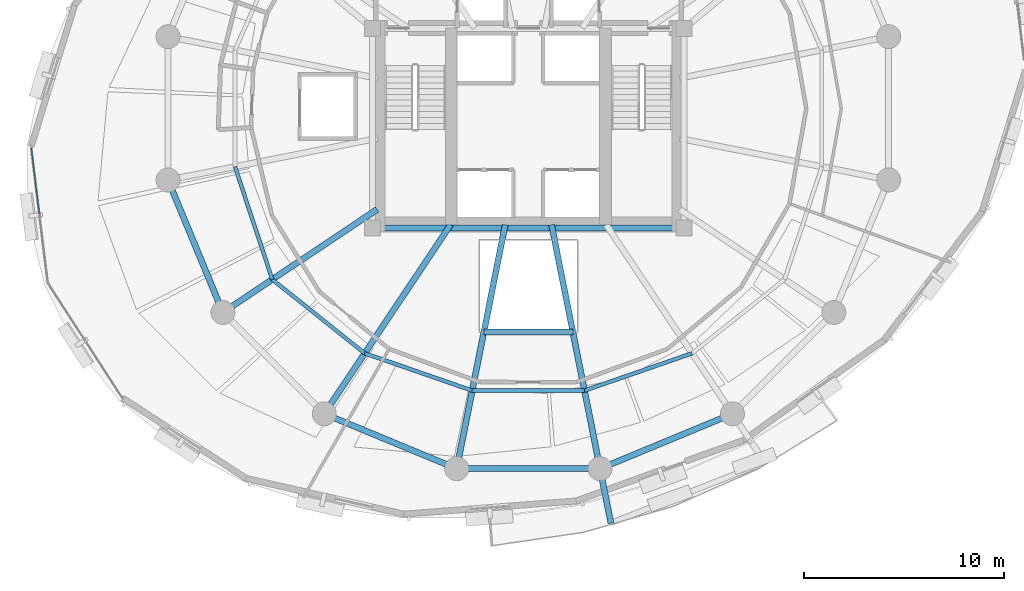
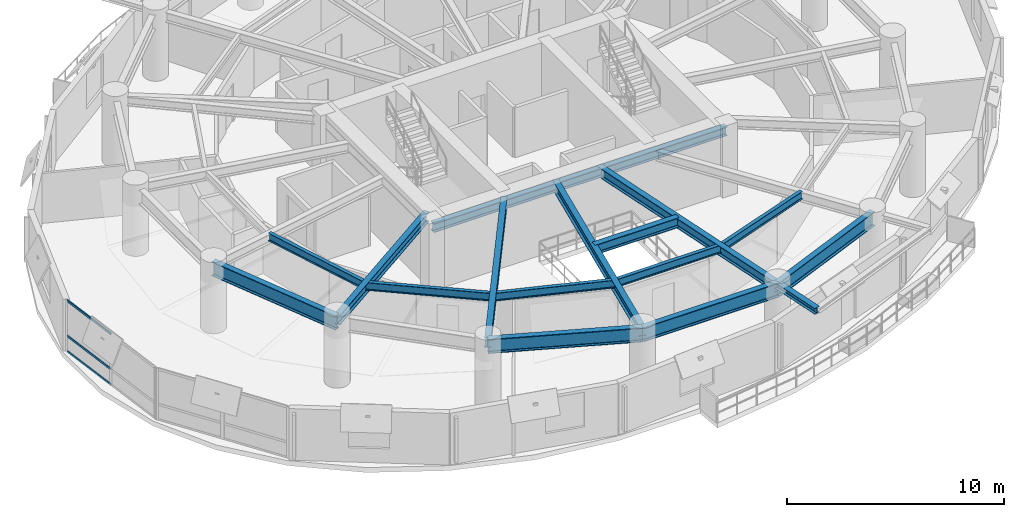
# One storey, part 3 of 15: 16 beams, 3 members, 1 element without a shape of its own.
"""IFC4 building model written with IfcOpenShell, lengths in metres."""

import ifcopenshell
import ifcopenshell.guid

model = None  # the IFC model being written
_history = None  # IfcOwnerHistory: only IFC2X3 demands one
_inside = {}  # id of a spatial element -> (the spatial element, [elements in it])
_under = {}  # id of a project, library or spatial element -> (it, [spatial elements below it])
_declared = {}  # id of a project -> (the project, [libraries it declares])
_typed = {}  # id of a type object -> (the type object, [elements of that type])
_made_of = {}  # id of a material, layer set ... -> (it, [elements and type objects made of it])


def new_model(schema):
    """Start an empty IFC model of exactly this schema.

    Asked for "IFC4X3", IfcOpenShell would pick the latest addendum, in which some entities
    have other attributes; the version numbers below select the first issue.
    IFC2X3 requires an IfcOwnerHistory on every rooted entity: one is made here for all.
    """
    global model, _history
    if schema == "IFC4X3":
        model = ifcopenshell.file(schema_version=(4, 3, 0, 0))
    else:
        model = ifcopenshell.file(schema=schema)
    _inside.clear()
    _under.clear()
    _declared.clear()
    _typed.clear()
    _made_of.clear()
    _history = None
    if model.schema == "IFC2X3":
        org = make("IfcOrganization", Name="unknown")
        user = make(
            "IfcPersonAndOrganization",
            ThePerson=make("IfcPerson", FamilyName="unknown"),
            TheOrganization=org,
        )
        app = make(
            "IfcApplication",
            ApplicationDeveloper=org,
            Version="unknown",
            ApplicationFullName="unknown",
            ApplicationIdentifier="unknown",
        )
        _history = make(
            "IfcOwnerHistory",
            OwningUser=user,
            OwningApplication=app,
            ChangeAction="ADDED",
            CreationDate=0,
        )
    return model


def make(cls, **values):
    """One entity of the class cls with the attributes given. An attribute that is None is left unset."""
    return model.create_entity(
        cls, **{name: value for name, value in values.items() if value is not None}
    )


def rooted(cls, **values):
    """An entity with a GlobalId (a new one), such as an element, a storey or a relation."""
    return make(cls, GlobalId=ifcopenshell.guid.new(), OwnerHistory=_history, **values)


def si_unit(unit_type, name, prefix=None):
    """IfcSIUnit, for example si_unit("LENGTHUNIT", "METRE", prefix="MILLI")."""
    return make("IfcSIUnit", UnitType=unit_type, Prefix=prefix, Name=name)


def assignment(units):
    """IfcUnitAssignment: the units of a project."""
    return None if units is None else make("IfcUnitAssignment", Units=units)


def point(xyz):
    """IfcCartesianPoint."""
    return None if xyz is None else make("IfcCartesianPoint", Coordinates=xyz)


def direction(xyz):
    """IfcDirection."""
    return None if xyz is None else make("IfcDirection", DirectionRatios=xyz)


def frame(location, z_axis=None, x_axis=None):
    """IfcAxis2Placement3D, a coordinate frame: its origin and axes. An axis left out is left unset."""
    return make(
        "IfcAxis2Placement3D",
        Location=point(location),
        Axis=direction(z_axis),
        RefDirection=direction(x_axis),
    )


def frame_2d(location, x_axis=None):
    """IfcAxis2Placement2D, a coordinate frame in the plane: its origin and x axis."""
    return make(
        "IfcAxis2Placement2D", Location=point(location), RefDirection=direction(x_axis)
    )


def origin():
    """The frame at (0, 0, 0) with its axes left unset."""
    return frame((0.0, 0.0, 0.0))


def origin_2d():
    """The frame at (0, 0) in the plane with its x axis left unset."""
    return frame_2d((0.0, 0.0))


def place(relative_to, where):
    """IfcLocalPlacement: puts the frame where relative to a parent placement (None: the world)."""
    return make(
        "IfcLocalPlacement", PlacementRelTo=relative_to, RelativePlacement=where
    )


def context(
    kind, dimensions, precision=None, world=None, true_north=None, identifier=None
):
    """IfcGeometricRepresentationContext, for example the 3D "Model" context."""
    return make(
        "IfcGeometricRepresentationContext",
        ContextIdentifier=identifier,
        ContextType=kind,
        CoordinateSpaceDimension=dimensions,
        Precision=precision,
        WorldCoordinateSystem=world,
        TrueNorth=true_north,
    )


def subcontext(parent, identifier, kind, view, scale=None):
    """IfcGeometricRepresentationSubContext, for example "Body" below "Model"."""
    return make(
        "IfcGeometricRepresentationSubContext",
        ContextIdentifier=identifier,
        ContextType=kind,
        ParentContext=parent,
        TargetScale=scale,
        TargetView=view,
    )


def project(units=None, contexts=None):
    """IfcProject with its units and contexts."""
    return rooted(
        "IfcProject",
        Name="project",
        RepresentationContexts=contexts,
        UnitsInContext=assignment(units),
    )


def spatial(cls, under=None, at=None, **own):
    """A site, building, storey or space (cls), placed at a placement, below another one or the project."""
    s = rooted(cls, ObjectPlacement=at, **own)
    if under is not None:
        _under.setdefault(under.id(), (under, []))[1].append(s)
    return s


def profile(cls, at=None, kind="AREA", **sizes):
    """A parametric profile (cls). Its sizes go by their IFC names, for example OverallWidth=200.0."""
    return make(cls, ProfileType=kind, Position=at, **sizes)


def hollow_rectangle(**sizes):
    """IfcRectangleHollowProfileDef."""
    return profile("IfcRectangleHollowProfileDef", **sizes)


def i_section(**sizes):
    """IfcIShapeProfileDef."""
    return profile("IfcIShapeProfileDef", **sizes)


def extrude(swept, where, along, depth):
    """IfcExtrudedAreaSolid: the profile swept, set in the frame where, extruded along a direction by depth."""
    return make(
        "IfcExtrudedAreaSolid",
        SweptArea=swept,
        Position=where,
        ExtrudedDirection=direction(along),
        Depth=depth,
    )


def shape(context_of_items, identifier, shape_type, items):
    """IfcShapeRepresentation: the items that make up one representation, for example the "Body"."""
    return make(
        "IfcShapeRepresentation",
        ContextOfItems=context_of_items,
        RepresentationIdentifier=identifier,
        RepresentationType=shape_type,
        Items=items,
    )


def material(Name=None, Category=None):
    """IfcMaterial."""
    return make("IfcMaterial", Name=Name, Category=Category)


def layer(
    of_material, thickness, ventilated=None, Name=None, Category=None, Priority=None
):
    """IfcMaterialLayer: one layer of a wall or slab, of a material (None: an air gap)."""
    return make(
        "IfcMaterialLayer",
        Material=of_material,
        LayerThickness=thickness,
        IsVentilated=ventilated,
        Name=Name,
        Category=Category,
        Priority=Priority,
    )


def layer_set(layers, Name=None):
    """IfcMaterialLayerSet."""
    return make("IfcMaterialLayerSet", MaterialLayers=layers, LayerSetName=Name)


def material_profile(
    of_material, cross_section, Name=None, Category=None, Priority=None
):
    """IfcMaterialProfile: a cross section and its material."""
    return make(
        "IfcMaterialProfile",
        Name=Name,
        Material=of_material,
        Profile=cross_section,
        Priority=Priority,
        Category=Category,
    )


def profile_set(profiles, Name=None, composite=None):
    """IfcMaterialProfileSet."""
    return make(
        "IfcMaterialProfileSet",
        Name=Name,
        MaterialProfiles=profiles,
        CompositeProfile=composite,
    )


def made_of(thing, what):
    """Note that an element or type object is made of a material, layer set ...; save() writes the relation."""
    if what is not None:
        _made_of.setdefault(what.id(), (what, []))[1].append(thing)
    return thing


def type_object(cls, material=None, **own):
    """A type object (cls), such as IfcWallType, which elements share."""
    return made_of(rooted(cls, **own), material)


def element(
    cls,
    number,
    at=None,
    inside=None,
    cuts=None,
    type_object=None,
    material=None,
    context=None,
    identifier="Body",
    shape_type=None,
    held_by="IfcProductDefinitionShape",
    body=None,
    shapes=None,
    **own,
):
    """One element of the class cls, such as IfcWall. Its Tag is "e" and its number.

    at: its placement. inside: the storey or other place that contains it. cuts: it is an
    opening in that element (IfcRelVoidsElement). A single representation is given by context,
    identifier, shape_type and body (its items); several are given by shapes. held_by: the class
    of the entity that holds the representations. save() writes the other relations.
    """
    e = rooted(cls, Tag="e%d" % number, ObjectPlacement=at, **own)
    if body is not None:
        shapes = [shape(context, identifier, shape_type, body)]
    if shapes is not None:
        e.Representation = make(held_by, Representations=shapes)
    if inside is not None:
        _inside.setdefault(inside.id(), (inside, []))[1].append(e)
    if cuts is not None:
        rooted(
            "IfcRelVoidsElement", RelatingBuildingElement=cuts, RelatedOpeningElement=e
        )
    if type_object is not None:
        _typed.setdefault(type_object.id(), (type_object, []))[1].append(e)
    return made_of(e, material)


def aggregate(whole, parts):
    """IfcRelAggregates: a whole, such as a stair, and the parts it consists of."""
    return rooted("IfcRelAggregates", RelatingObject=whole, RelatedObjects=parts)


def save(model, path):
    """Write the relations noted so far, then the file.

    IfcRelAggregates (storeys below a building ...), IfcRelContainedInSpatialStructure (elements
    in a storey), IfcRelDefinesByType, IfcRelAssociatesMaterial and IfcRelDeclares: one each for
    every whole, place, type object, material and project.
    """
    for whole, parts in _under.values():
        aggregate(whole, parts)
    for where, things in _inside.values():
        rooted(
            "IfcRelContainedInSpatialStructure",
            RelatedElements=things,
            RelatingStructure=where,
        )
    for kind, things in _typed.values():
        rooted("IfcRelDefinesByType", RelatedObjects=things, RelatingType=kind)
    for what, things in _made_of.values():
        rooted("IfcRelAssociatesMaterial", RelatedObjects=things, RelatingMaterial=what)
    for by, libraries in _declared.values():
        rooted("IfcRelDeclares", RelatingContext=by, RelatedDefinitions=libraries)
    model.write(path)


model = new_model("IFC4")

# Units and contexts
model_context = context("Model", 3, precision=1e-05, world=origin(), true_north=direction((0.0, 1.0)))
body_context = subcontext(model_context, "Body", "Model", "MODEL_VIEW")
ifc_project = project(units=[si_unit("LENGTHUNIT", "METRE"), si_unit("AREAUNIT", "SQUARE_METRE"), si_unit("VOLUMEUNIT", "CUBIC_METRE"), si_unit("PLANEANGLEUNIT", "RADIAN"), si_unit("MASSUNIT", "GRAM", prefix="KILO"), si_unit("THERMODYNAMICTEMPERATUREUNIT", "KELVIN"), si_unit("POWERUNIT", "WATT")], contexts=[model_context])

# Site, building, storey
site_placement = place(None, origin())
site = spatial("IfcSite", under=ifc_project, at=site_placement, CompositionType="ELEMENT")
building_placement = place(site_placement, origin())
building = spatial("IfcBuilding", under=site, at=building_placement, Name="Ocrelia Relay Tower", CompositionType="ELEMENT")
storey_placement = place(building_placement, frame((0.0, 0.0, 117.800048828125)))
storey = spatial("IfcBuildingStorey", under=building, at=storey_placement, Name="L27", CompositionType="ELEMENT", Elevation=117.800048828125)

# Beams
ifc_material_1 = material(Name="Steel S355", Category="steel")
ifc_material_profile_1 = material_profile(ifc_material_1, i_section(OverallWidth=0.300048828125, OverallDepth=0.330078125, WebThickness=0.009521484375, FlangeThickness=0.0166015625, FilletRadius=0.027099609375, at=origin_2d()), Name="HEA 340")
ifc_profile_set_1 = profile_set([ifc_material_profile_1], Name="Steel S355")
beam_type_1 = type_object("IfcBeamType", Name="BM-HEA340", PredefinedType="BEAM", material=ifc_profile_set_1)
beam_1_placement = place(storey_placement, frame((37.589599609375, 7.95361328125, 3.554931640625), z_axis=(0.195155034927, -0.980772405986, 0.0), x_axis=(0.980772405986, 0.195155034927, 0.0)))
element("IfcBeam", 1, at=beam_1_placement, inside=storey, type_object=beam_type_1, Name="L28 Balcony Cantilever Beam B2-1", PredefinedType="BEAM", context=body_context, shape_type="SweptSolid", body=[
    extrude(i_section(OverallWidth=0.300048828125, OverallDepth=0.330078125, WebThickness=0.009521484375, FlangeThickness=0.0166015625, FilletRadius=0.027099609375, at=origin_2d()), origin(), (0.0, 0.0, 1.0), 2.78466796875),
])
ifc_material_profile_2 = material_profile(ifc_material_1, i_section(OverallWidth=0.300048828125, OverallDepth=0.5, WebThickness=0.014404296875, FlangeThickness=0.028076171875, FilletRadius=0.027099609375, at=origin_2d()), Name="HEB 500")
ifc_profile_set_2 = profile_set([ifc_material_profile_2], Name="Steel S355")
beam_type_2 = type_object("IfcBeamType", Name="BM-HEB500", PredefinedType="BEAM", material=ifc_profile_set_2)
beam_2_placement = place(storey_placement, frame((26.199951171875, 20.0, 3.469970703125), z_axis=(1.0, 0.0, 0.0), x_axis=(0.0, 1.0, 0.0)))
element("IfcBeam", 2, at=beam_2_placement, inside=storey, type_object=beam_type_2, Name="L27 Core Pilaster Tie Beam S", PredefinedType="BEAM", context=body_context, shape_type="SweptSolid", body=[
    extrude(i_section(OverallWidth=0.300048828125, OverallDepth=0.5, WebThickness=0.014404296875, FlangeThickness=0.028076171875, FilletRadius=0.027099609375, at=origin_2d()), origin(), (0.0, 0.0, 1.0), 15.60009765625),
])
ifc_material_profile_3 = material_profile(ifc_material_1, i_section(OverallWidth=0.300048828125, OverallDepth=0.550048828125, WebThickness=0.014892578125, FlangeThickness=0.029052734375, FilletRadius=0.027099609375, at=origin_2d()), Name="HEB 550")
ifc_profile_set_3 = profile_set([ifc_material_profile_3], Name="Steel S355")
beam_type_3 = type_object("IfcBeamType", Name="BM-HEB550", PredefinedType="BEAM", material=ifc_profile_set_3)
beam_3_placement = place(storey_placement, frame((18.700927734375, 15.777587890625, 3.445068359375), z_axis=(0.831472030531, 0.555566613868, 0.0), x_axis=(-0.555566613868, 0.831472030531, 0.0)))
element("IfcBeam", 3, at=beam_3_placement, inside=storey, type_object=beam_type_3, Name="L27 Radial Floor Girder R10", PredefinedType="BEAM", context=body_context, shape_type="SweptSolid", body=[
    extrude(i_section(OverallWidth=0.300048828125, OverallDepth=0.550048828125, WebThickness=0.014892578125, FlangeThickness=0.029052734375, FilletRadius=0.027099609375, at=origin_2d()), origin(), (0.0, 0.0, 1.0), 9.295654296875),
])
beam_4_placement = place(storey_placement, frame((23.777587890625, 10.700927734375, 3.445068359375), z_axis=(0.555565661158, 0.831472667105, 0.0), x_axis=(-0.831472667105, 0.555565661158, 0.0)))
element("IfcBeam", 4, at=beam_4_placement, inside=storey, type_object=beam_type_3, Name="L27 Radial Floor Girder R11", PredefinedType="BEAM", context=body_context, shape_type="SweptSolid", body=[
    extrude(i_section(OverallWidth=0.300048828125, OverallDepth=0.550048828125, WebThickness=0.014892578125, FlangeThickness=0.029052734375, FilletRadius=0.027099609375, at=origin_2d()), origin(), (0.0, 0.0, 1.0), 11.38818359375),
])
for number, where, z_axis, x_axis, name in (
    (5, (30.410400390625, 7.95361328125, 3.445068359375), (0.195086983979, 0.980785944374, 0.0), (-0.980785944374, 0.195086983979, 0.0), "L27 Radial Floor Girder R12"),
    (6, (37.589599609375, 7.95361328125, 3.445068359375), (-0.195086983979, 0.980785944374, 0.0), (-0.980785944374, -0.195086983979, 0.0), "L27 Radial Floor Girder R13"),
):
    element("IfcBeam", number, at=place(storey_placement, frame(where, z_axis=z_axis, x_axis=x_axis)), inside=storey, type_object=beam_type_3, Name=name, PredefinedType="BEAM", context=body_context, shape_type="SweptSolid", body=[
        extrude(i_section(OverallWidth=0.300048828125, OverallDepth=0.550048828125, WebThickness=0.014892578125, FlangeThickness=0.029052734375, FilletRadius=0.027099609375, at=origin_2d()), origin(), (0.0, 0.0, 1.0), 12.45556640625),
    ])
beam_5_placement = place(storey_placement, frame((31.772216796875, 14.800048828125, 3.445068359375), z_axis=(1.0, 0.0, 0.0), x_axis=(0.0, 1.0, 0.0)))
element("IfcBeam", 7, at=beam_5_placement, inside=storey, type_object=beam_type_3, Name="L27 Atrium South Trimmer Beam", PredefinedType="BEAM", context=body_context, shape_type="SweptSolid", body=[
    extrude(i_section(OverallWidth=0.300048828125, OverallDepth=0.550048828125, WebThickness=0.014892578125, FlangeThickness=0.029052734375, FilletRadius=0.027099609375, at=origin_2d()), origin(), (0.0, 0.0, 1.0), 4.45556640625),
])
ifc_material_profile_4 = material_profile(ifc_material_1, i_section(OverallWidth=0.300048828125, OverallDepth=0.800048828125, WebThickness=0.017578125, FlangeThickness=0.032958984375, FilletRadius=0.030029296875, at=origin_2d()), Name="HEB 800")
ifc_profile_set_4 = profile_set([ifc_material_profile_4], Name="Steel S355")
beam_type_4 = type_object("IfcBeamType", Name="BM-HEB800", PredefinedType="BEAM", material=ifc_profile_set_4)
for number, where, z_axis, x_axis, name in (
    (8, (15.95361328125, 22.410400390625, 3.320068359375), (0.382673155247, -0.923883789366, 0.0), (0.923883789366, 0.382673155247, 0.0), "L27 Perimeter Spandrel Beam S09"),
    (9, (23.777587890625, 10.700927734375, 3.320068359375), (0.923883789366, -0.382673155247, 0.0), (0.382673155247, 0.923883789366, 0.0), "L27 Perimeter Spandrel Beam S11"),
    (10, (30.410400390625, 7.95361328125, 3.320068359375), (1.0, 0.0, 0.0), (0.0, 1.0, 0.0), "L27 Perimeter Spandrel Beam S12"),
    (11, (37.589599609375, 7.95361328125, 3.320068359375), (0.923883789366, 0.382673155247, 0.0), (-0.382673155247, 0.923883789366, 0.0), "L27 Perimeter Spandrel Beam S13"),
):
    element("IfcBeam", number, at=place(storey_placement, frame(where, z_axis=z_axis, x_axis=x_axis)), inside=storey, type_object=beam_type_4, Name=name, PredefinedType="BEAM", context=body_context, shape_type="SweptSolid", body=[
        extrude(i_section(OverallWidth=0.300048828125, OverallDepth=0.800048828125, WebThickness=0.017578125, FlangeThickness=0.032958984375, FilletRadius=0.030029296875, at=origin_2d()), origin(), (0.0, 0.0, 1.0), 7.17919921875),
    ])
ifc_material_profile_5 = material_profile(ifc_material_1, i_section(OverallWidth=0.18994140625, OverallDepth=0.449951171875, WebThickness=0.009521484375, FlangeThickness=0.0146484375, FilletRadius=0.02099609375, at=origin_2d()), Name="IPE 450")
ifc_profile_set_5 = profile_set([ifc_material_profile_5], Name="Steel S355")
beam_type_5 = type_object("IfcBeamType", Name="BM-IPE450", PredefinedType="JOIST", material=ifc_profile_set_5)
beam_6_placement = place(storey_placement, frame((19.305908203125, 23.0771484375, 3.494873046875), z_axis=(0.314121352003, -0.949382839647, 0.0), x_axis=(0.949382839647, 0.314121352003, 0.0)))
element("IfcBeam", 12, at=beam_6_placement, inside=storey, type_object=beam_type_5, Name="L27 Secondary Floor Joist J09", PredefinedType="JOIST", context=body_context, shape_type="SweptSolid", body=[
    extrude(i_section(OverallWidth=0.18994140625, OverallDepth=0.449951171875, WebThickness=0.009521484375, FlangeThickness=0.0146484375, FilletRadius=0.02099609375, at=origin_2d()), origin(), (0.0, 0.0, 1.0), 5.947998046875),
])
beam_7_placement = place(storey_placement, frame((21.17431640625, 17.43017578125, 3.494873046875), z_axis=(0.781130070991, -0.62436833055, 0.0), x_axis=(0.62436833055, 0.781130070991, 0.0)))
element("IfcBeam", 13, at=beam_7_placement, inside=storey, type_object=beam_type_5, Name="L27 Secondary Floor Joist J10", PredefinedType="JOIST", context=body_context, shape_type="SweptSolid", body=[
    extrude(i_section(OverallWidth=0.18994140625, OverallDepth=0.449951171875, WebThickness=0.009521484375, FlangeThickness=0.0146484375, FilletRadius=0.02099609375, at=origin_2d()), origin(), (0.0, 0.0, 1.0), 5.92431640625),
])
beam_8_placement = place(storey_placement, frame((25.802001953125, 13.731201171875, 3.494873046875), z_axis=(0.944767437111, -0.327741498401, 0.0), x_axis=(0.327741498401, 0.944767437111, 0.0)))
element("IfcBeam", 14, at=beam_8_placement, inside=storey, type_object=beam_type_5, Name="L27 Secondary Floor Joist J11", PredefinedType="JOIST", context=body_context, shape_type="SweptSolid", body=[
    extrude(i_section(OverallWidth=0.18994140625, OverallDepth=0.449951171875, WebThickness=0.009521484375, FlangeThickness=0.0146484375, FilletRadius=0.02099609375, at=origin_2d()), origin(), (0.0, 0.0, 1.0), 5.700927734375),
])
beam_9_placement = place(storey_placement, frame((31.18798828125, 11.86279296875, 3.494873046875), z_axis=(1.0, 0.0, 0.0), x_axis=(0.0, 1.0, 0.0)))
element("IfcBeam", 15, at=beam_9_placement, inside=storey, type_object=beam_type_5, Name="L27 Secondary Floor Joist J12", PredefinedType="JOIST", context=body_context, shape_type="SweptSolid", body=[
    extrude(i_section(OverallWidth=0.18994140625, OverallDepth=0.449951171875, WebThickness=0.009521484375, FlangeThickness=0.0146484375, FilletRadius=0.02099609375, at=origin_2d()), origin(), (0.0, 0.0, 1.0), 5.6240234375),
])
beam_10_placement = place(storey_placement, frame((36.81201171875, 11.86279296875, 3.494873046875), z_axis=(0.944767437111, 0.327741498401, 0.0), x_axis=(-0.327741498401, 0.944767437111, 0.0)))
element("IfcBeam", 16, at=beam_10_placement, inside=storey, type_object=beam_type_5, Name="L27 Secondary Floor Joist J13", PredefinedType="JOIST", context=body_context, shape_type="SweptSolid", body=[
    extrude(i_section(OverallWidth=0.18994140625, OverallDepth=0.449951171875, WebThickness=0.009521484375, FlangeThickness=0.0146484375, FilletRadius=0.02099609375, at=origin_2d()), origin(), (0.0, 0.0, 1.0), 5.700927734375),
])

# Curtain wall, members
ifc_material_2 = material(Name="Aluminium and solar-control low-E glass", Category="aluminium")
ifc_layer = layer(ifc_material_2, 0.179931640625, Name="Aluminium and solar-control low-E glass")
ifc_layer_set = layer_set([ifc_layer], Name="Aluminium and solar-control low-E glass")
curtain_wall_type = type_object("IfcCurtainWallType", Name="CW-SYS-Z2-SWIT", PredefinedType="NOTDEFINED", material=ifc_layer_set)
curtain_wall_placement = place(storey_placement, origin())
curtain_wall = element("IfcCurtainWall", 17, at=curtain_wall_placement, inside=storey, type_object=curtain_wall_type, Name="L27 Elliptical Tower Curtain Wall Bay 09", PredefinedType="NOTDEFINED")
ifc_material_3 = material(Name="Anodised bronze aluminium", Category="aluminium")
ifc_material_profile_6 = material_profile(ifc_material_3, hollow_rectangle(XDim=0.06005859375, YDim=0.1201171875, WallThickness=0.0048828125, at=origin_2d()), Name="CW-TRN-120x60")
ifc_profile_set_6 = profile_set([ifc_material_profile_6], Name="Anodised bronze aluminium")
member_type = type_object("IfcMemberType", Name="CW-SYS-Z2-SWIT-TRN", PredefinedType="USERDEFINED", material=ifc_profile_set_6)
member_1_placement = place(storey_placement, frame((9.108642578125, 24.02392578125, 0.030029296875), z_axis=(0.121538246197, -0.992586749212, 0.0), x_axis=(0.992586749212, 0.121538246197, 0.0)))
member_1 = element("IfcMember", 18, at=member_1_placement, type_object=member_type, Name="CW-Z2 transom 1.1", ObjectType="TRANSOM", PredefinedType="USERDEFINED", context=body_context, shape_type="SweptSolid", body=[
    extrude(hollow_rectangle(XDim=0.06005859375, YDim=0.1201171875, WallThickness=0.0048828125, at=origin_2d()), origin(), (0.0, 0.0, 1.0), 3.33447265625),
])
member_2_placement = place(storey_placement, frame((9.108642578125, 24.02392578125, 0.89990234375), z_axis=(0.121538246197, -0.992586749212, 0.0), x_axis=(0.992586749212, 0.121538246197, 0.0)))
member_2 = element("IfcMember", 19, at=member_2_placement, type_object=member_type, Name="CW-Z2 transom 1.2", ObjectType="TRANSOM", PredefinedType="USERDEFINED", context=body_context, shape_type="SweptSolid", body=[
    extrude(hollow_rectangle(XDim=0.06005859375, YDim=0.1201171875, WallThickness=0.0048828125, at=origin_2d()), origin(), (0.0, 0.0, 1.0), 3.33447265625),
])
member_3_placement = place(storey_placement, frame((9.108642578125, 24.02392578125, 2.869873046875), z_axis=(0.121538246197, -0.992586749212, 0.0), x_axis=(0.992586749212, 0.121538246197, 0.0)))
member_3 = element("IfcMember", 20, at=member_3_placement, type_object=member_type, Name="CW-Z2 transom 1.3", ObjectType="TRANSOM", PredefinedType="USERDEFINED", context=body_context, shape_type="SweptSolid", body=[
    extrude(hollow_rectangle(XDim=0.06005859375, YDim=0.1201171875, WallThickness=0.0048828125, at=origin_2d()), origin(), (0.0, 0.0, 1.0), 3.33447265625),
])
aggregate(curtain_wall, [member_1, member_2, member_3])

save(model, "model.ifc")
